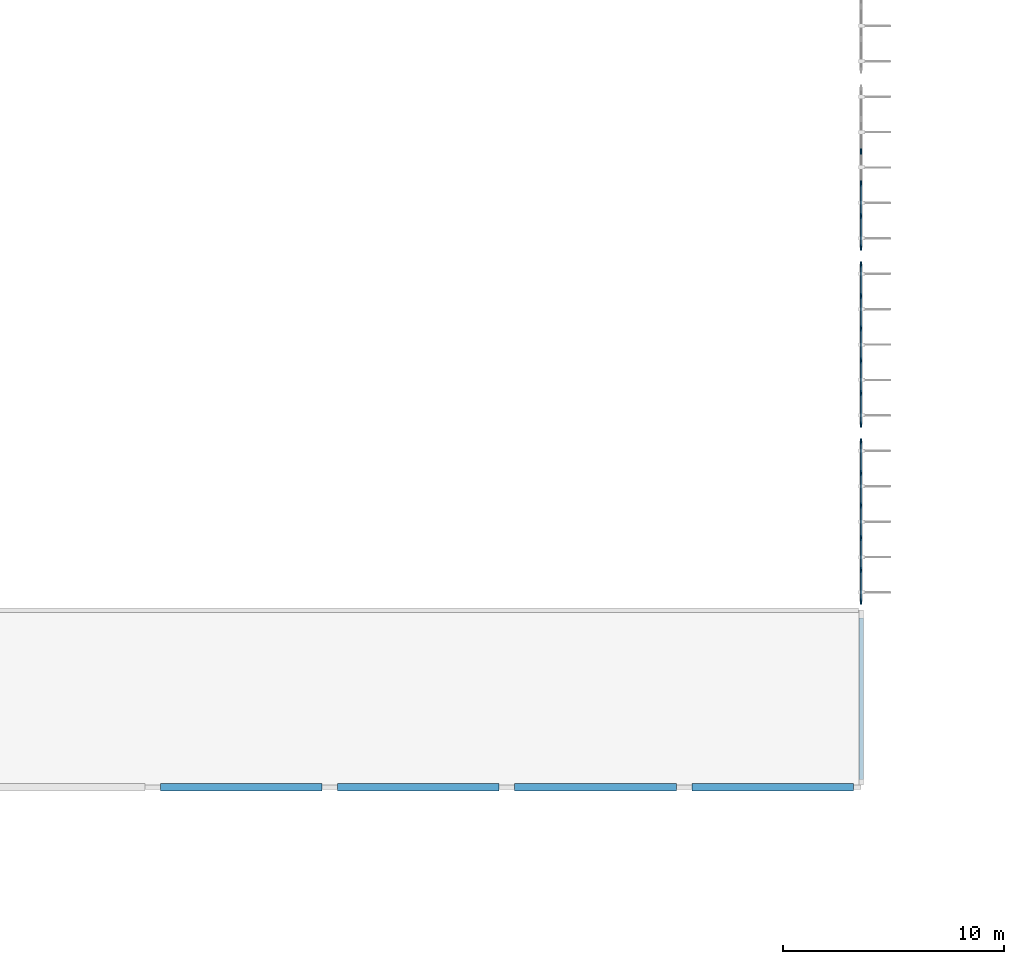
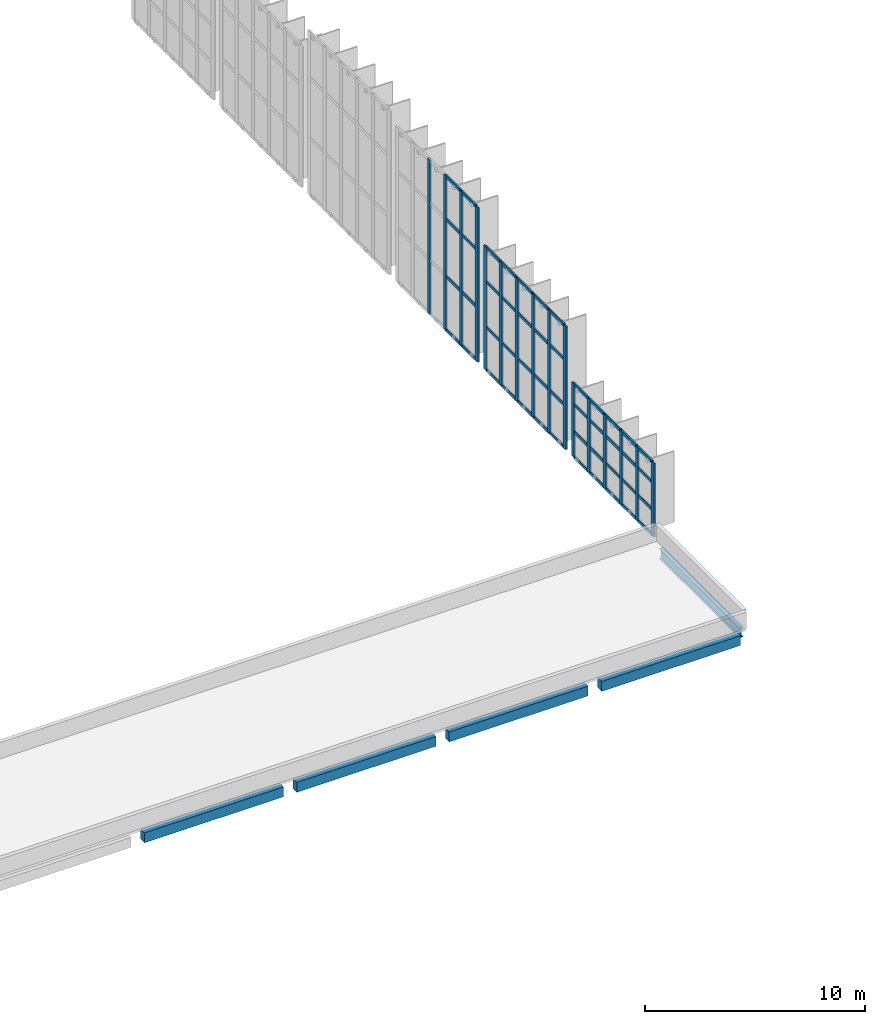
# One storey, part 8 of 38: 64 members, 5 beams, 3 elements without a shape of their own.
"""IFC4 building model written with IfcOpenShell, lengths in metres."""

from ifc_helpers import new_model, si_unit, direction, frame, origin, origin_2d, place, context, subcontext, project, spatial, rectangle, i_section, extrude, material, layer, layer_set, material_profile, profile_set, type_object, element, aggregate, save


model = new_model("IFC4")

# Units and contexts
model_context = context("Model", 3, precision=1e-05, world=origin(), true_north=direction((0.0, 1.0)))
body_context = subcontext(model_context, "Body", "Model", "MODEL_VIEW")
ifc_project = project(units=[si_unit("LENGTHUNIT", "METRE"), si_unit("AREAUNIT", "SQUARE_METRE"), si_unit("VOLUMEUNIT", "CUBIC_METRE"), si_unit("PLANEANGLEUNIT", "RADIAN"), si_unit("MASSUNIT", "GRAM", prefix="KILO")], contexts=[model_context])

# Site, building, storey
site_placement = place(None, origin())
site = spatial("IfcSite", under=ifc_project, at=site_placement, CompositionType="ELEMENT")
building_placement = place(site_placement, origin())
building = spatial("IfcBuilding", under=site, at=building_placement, Name="Drelvana Railside Aquatics Centre", CompositionType="ELEMENT")
storey_placement = place(building_placement, frame((0.0, 0.0, 14.39990234375)))
storey = spatial("IfcBuildingStorey", under=building, at=storey_placement, Name="L03", CompositionType="ELEMENT", Elevation=14.39990234375)

# Curtain wall, members
ifc_material_1 = material(Name="Bronze-anodised aluminium curtain wall", Category="aluminium")
ifc_layer = layer(ifc_material_1, 0.219970703125, Name="Bronze-anodised aluminium curtain wall")
ifc_layer_set = layer_set([ifc_layer], Name="Bronze-anodised aluminium curtain wall")
curtain_wall_type = type_object("IfcCurtainWallType", Name="CW-Z3-HIGH", PredefinedType="NOTDEFINED", material=ifc_layer_set)
curtain_wall_1_placement = place(storey_placement, origin())
curtain_wall_1 = element("IfcCurtainWall", 1, at=curtain_wall_1_placement, inside=storey, type_object=curtain_wall_type, Name="Curtain wall CW-03-058", PredefinedType="NOTDEFINED")
ifc_material_2 = material(Name="Bronze-anodised aluminium 6063-T6", Category="aluminium")
ifc_material_profile_1 = material_profile(ifc_material_2, rectangle(XDim=0.080078125, YDim=0.25, at=origin_2d()), Name="ALU-M 80x250")
ifc_profile_set_1 = profile_set([ifc_material_profile_1], Name="Bronze-anodised aluminium 6063-T6")
member_type_1 = type_object("IfcMemberType", Name="CW-Z3-HIGH-MUL", PredefinedType="MULLION", material=ifc_profile_set_1)
member_1_placement = place(storey_placement, frame((96.0, 24.384033203125, -0.005859375), z_axis=(0.0, 0.0, 1.0), x_axis=(-1.0, 0.0, 0.0)))
member_1 = element("IfcMember", 2, at=member_1_placement, type_object=member_type_1, Name="CW-03 mullion 1", PredefinedType="MULLION", context=body_context, shape_type="SweptSolid", body=[
    extrude(rectangle(XDim=0.080078125, YDim=0.25, at=origin_2d()), origin(), (0.0, 0.0, 1.0), 4.093017578125),
])
member_2_placement = place(storey_placement, frame((96.0, 25.806396484375, -0.005859375), z_axis=(0.0, 0.0, 1.0), x_axis=(-1.0, 0.0, 0.0)))
member_2 = element("IfcMember", 3, at=member_2_placement, type_object=member_type_1, Name="CW-03 mullion 2", PredefinedType="MULLION", context=body_context, shape_type="SweptSolid", body=[
    extrude(rectangle(XDim=0.080078125, YDim=0.25, at=origin_2d()), origin(), (0.0, 0.0, 1.0), 4.093017578125),
])
member_3_placement = place(storey_placement, frame((96.0, 27.268798828125, -0.005859375), z_axis=(0.0, 0.0, 1.0), x_axis=(-1.0, 0.0, 0.0)))
member_3 = element("IfcMember", 4, at=member_3_placement, type_object=member_type_1, Name="CW-03 mullion 3", PredefinedType="MULLION", context=body_context, shape_type="SweptSolid", body=[
    extrude(rectangle(XDim=0.080078125, YDim=0.25, at=origin_2d()), origin(), (0.0, 0.0, 1.0), 4.093017578125),
])
member_4_placement = place(storey_placement, frame((96.0, 28.731201171875, -0.005859375), z_axis=(0.0, 0.0, 1.0), x_axis=(-1.0, 0.0, 0.0)))
member_4 = element("IfcMember", 5, at=member_4_placement, type_object=member_type_1, Name="CW-03 mullion 4", PredefinedType="MULLION", context=body_context, shape_type="SweptSolid", body=[
    extrude(rectangle(XDim=0.080078125, YDim=0.25, at=origin_2d()), origin(), (0.0, 0.0, 1.0), 4.093017578125),
])
member_5_placement = place(storey_placement, frame((96.0, 30.193603515625, -0.005859375), z_axis=(0.0, 0.0, 1.0), x_axis=(-1.0, 0.0, 0.0)))
member_5 = element("IfcMember", 6, at=member_5_placement, type_object=member_type_1, Name="CW-03 mullion 5", PredefinedType="MULLION", context=body_context, shape_type="SweptSolid", body=[
    extrude(rectangle(XDim=0.080078125, YDim=0.25, at=origin_2d()), origin(), (0.0, 0.0, 1.0), 4.093017578125),
])
member_6_placement = place(storey_placement, frame((96.0, 31.615966796875, -0.005859375), z_axis=(0.0, 0.0, 1.0), x_axis=(-1.0, 0.0, 0.0)))
member_6 = element("IfcMember", 7, at=member_6_placement, type_object=member_type_1, Name="CW-03 mullion 6", PredefinedType="MULLION", context=body_context, shape_type="SweptSolid", body=[
    extrude(rectangle(XDim=0.080078125, YDim=0.25, at=origin_2d()), origin(), (0.0, 0.0, 1.0), 4.093017578125),
])

curtain_wall_2_placement = place(storey_placement, origin())
curtain_wall_2 = element("IfcCurtainWall", 8, at=curtain_wall_2_placement, inside=storey, type_object=curtain_wall_type, Name="Curtain wall CW-03-062", PredefinedType="NOTDEFINED")
member_7_placement = place(storey_placement, frame((96.0, 32.384033203125, -0.005859375), z_axis=(0.0, 0.0, 1.0), x_axis=(-1.0, 0.0, 0.0)))
member_7 = element("IfcMember", 9, at=member_7_placement, type_object=member_type_1, Name="CW-03 mullion 1", PredefinedType="MULLION", context=body_context, shape_type="SweptSolid", body=[
    extrude(rectangle(XDim=0.080078125, YDim=0.25, at=origin_2d()), origin(), (0.0, 0.0, 1.0), 6.833984375),
])
member_8_placement = place(storey_placement, frame((96.0, 33.806396484375, -0.005859375), z_axis=(0.0, 0.0, 1.0), x_axis=(-1.0, 0.0, 0.0)))
member_8 = element("IfcMember", 10, at=member_8_placement, type_object=member_type_1, Name="CW-03 mullion 2", PredefinedType="MULLION", context=body_context, shape_type="SweptSolid", body=[
    extrude(rectangle(XDim=0.080078125, YDim=0.25, at=origin_2d()), origin(), (0.0, 0.0, 1.0), 6.833984375),
])
member_9_placement = place(storey_placement, frame((96.0, 35.268798828125, -0.005859375), z_axis=(0.0, 0.0, 1.0), x_axis=(-1.0, 0.0, 0.0)))
member_9 = element("IfcMember", 11, at=member_9_placement, type_object=member_type_1, Name="CW-03 mullion 3", PredefinedType="MULLION", context=body_context, shape_type="SweptSolid", body=[
    extrude(rectangle(XDim=0.080078125, YDim=0.25, at=origin_2d()), origin(), (0.0, 0.0, 1.0), 6.833984375),
])
member_10_placement = place(storey_placement, frame((96.0, 36.731201171875, -0.005859375), z_axis=(0.0, 0.0, 1.0), x_axis=(-1.0, 0.0, 0.0)))
member_10 = element("IfcMember", 12, at=member_10_placement, type_object=member_type_1, Name="CW-03 mullion 4", PredefinedType="MULLION", context=body_context, shape_type="SweptSolid", body=[
    extrude(rectangle(XDim=0.080078125, YDim=0.25, at=origin_2d()), origin(), (0.0, 0.0, 1.0), 6.833984375),
])
member_11_placement = place(storey_placement, frame((96.0, 38.193603515625, -0.005859375), z_axis=(0.0, 0.0, 1.0), x_axis=(-1.0, 0.0, 0.0)))
member_11 = element("IfcMember", 13, at=member_11_placement, type_object=member_type_1, Name="CW-03 mullion 5", PredefinedType="MULLION", context=body_context, shape_type="SweptSolid", body=[
    extrude(rectangle(XDim=0.080078125, YDim=0.25, at=origin_2d()), origin(), (0.0, 0.0, 1.0), 6.833984375),
])
member_12_placement = place(storey_placement, frame((96.0, 39.615966796875, -0.005859375), z_axis=(0.0, 0.0, 1.0), x_axis=(-1.0, 0.0, 0.0)))
member_12 = element("IfcMember", 14, at=member_12_placement, type_object=member_type_1, Name="CW-03 mullion 6", PredefinedType="MULLION", context=body_context, shape_type="SweptSolid", body=[
    extrude(rectangle(XDim=0.080078125, YDim=0.25, at=origin_2d()), origin(), (0.0, 0.0, 1.0), 6.833984375),
])

curtain_wall_3_placement = place(storey_placement, origin())
curtain_wall_3 = element("IfcCurtainWall", 15, at=curtain_wall_3_placement, inside=storey, type_object=curtain_wall_type, Name="Curtain wall CW-03-066", PredefinedType="NOTDEFINED")
member_13_placement = place(storey_placement, frame((96.0, 40.384033203125, -0.005859375), z_axis=(0.0, 0.0, 1.0), x_axis=(-1.0, 0.0, 0.0)))
member_13 = element("IfcMember", 16, at=member_13_placement, type_object=member_type_1, Name="CW-03 mullion 1", PredefinedType="MULLION", context=body_context, shape_type="SweptSolid", body=[
    extrude(rectangle(XDim=0.080078125, YDim=0.25, at=origin_2d()), origin(), (0.0, 0.0, 1.0), 8.576904296875),
])
member_14_placement = place(storey_placement, frame((96.0, 41.806396484375, -0.005859375), z_axis=(0.0, 0.0, 1.0), x_axis=(-1.0, 0.0, 0.0)))
member_14 = element("IfcMember", 17, at=member_14_placement, type_object=member_type_1, Name="CW-03 mullion 2", PredefinedType="MULLION", context=body_context, shape_type="SweptSolid", body=[
    extrude(rectangle(XDim=0.080078125, YDim=0.25, at=origin_2d()), origin(), (0.0, 0.0, 1.0), 8.576904296875),
])
member_15_placement = place(storey_placement, frame((96.0, 43.268798828125, -0.005859375), z_axis=(0.0, 0.0, 1.0), x_axis=(-1.0, 0.0, 0.0)))
member_15 = element("IfcMember", 18, at=member_15_placement, type_object=member_type_1, Name="CW-03 mullion 3", PredefinedType="MULLION", context=body_context, shape_type="SweptSolid", body=[
    extrude(rectangle(XDim=0.080078125, YDim=0.25, at=origin_2d()), origin(), (0.0, 0.0, 1.0), 8.576904296875),
])
member_16_placement = place(storey_placement, frame((96.0, 44.731201171875, -0.005859375), z_axis=(0.0, 0.0, 1.0), x_axis=(-1.0, 0.0, 0.0)))
member_16 = element("IfcMember", 19, at=member_16_placement, type_object=member_type_1, Name="CW-03 mullion 4", PredefinedType="MULLION", context=body_context, shape_type="SweptSolid", body=[
    extrude(rectangle(XDim=0.080078125, YDim=0.25, at=origin_2d()), origin(), (0.0, 0.0, 1.0), 8.576904296875),
])

# Member
ifc_material_profile_2 = material_profile(ifc_material_2, rectangle(XDim=0.179931640625, YDim=0.074951171875, at=origin_2d()), Name="ALU-T 75x180")
ifc_profile_set_2 = profile_set([ifc_material_profile_2], Name="Bronze-anodised aluminium 6063-T6")
member_type_2 = type_object("IfcMemberType", Name="CW-Z3-HIGH-TRN", PredefinedType="USERDEFINED", material=ifc_profile_set_2)
member_17_placement = place(storey_placement, frame((96.0, 24.4189453125, 0.031494140625), z_axis=(0.0, 1.0, 0.0), x_axis=(0.0, 0.0, 1.0)))
member_17 = element("IfcMember", 20, at=member_17_placement, type_object=member_type_2, Name="CW-03 transom 1.1", ObjectType="TRANSOM", PredefinedType="USERDEFINED", context=body_context, shape_type="SweptSolid", body=[
    extrude(rectangle(XDim=0.179931640625, YDim=0.074951171875, at=origin_2d()), origin(), (0.0, 0.0, 1.0), 1.3525390625),
])

member_18_placement = place(storey_placement, frame((96.0, 24.4189453125, 1.427001953125), z_axis=(0.0, 1.0, 0.0), x_axis=(0.0, 0.0, 1.0)))
member_18 = element("IfcMember", 21, at=member_18_placement, type_object=member_type_2, Name="CW-03 transom 1.2", ObjectType="TRANSOM", PredefinedType="USERDEFINED", context=body_context, shape_type="SweptSolid", body=[
    extrude(rectangle(XDim=0.179931640625, YDim=0.074951171875, at=origin_2d()), origin(), (0.0, 0.0, 1.0), 1.3525390625),
])

member_19_placement = place(storey_placement, frame((96.0, 24.4189453125, 2.941162109375), z_axis=(0.0, 1.0, 0.0), x_axis=(0.0, 0.0, 1.0)))
member_19 = element("IfcMember", 22, at=member_19_placement, type_object=member_type_2, Name="CW-03 transom 1.3", ObjectType="TRANSOM", PredefinedType="USERDEFINED", context=body_context, shape_type="SweptSolid", body=[
    extrude(rectangle(XDim=0.179931640625, YDim=0.074951171875, at=origin_2d()), origin(), (0.0, 0.0, 1.0), 1.3525390625),
])

member_20_placement = place(storey_placement, frame((96.0, 24.4189453125, 4.049560546875), z_axis=(0.0, 1.0, 0.0), x_axis=(0.0, 0.0, 1.0)))
member_20 = element("IfcMember", 23, at=member_20_placement, type_object=member_type_2, Name="CW-03 transom 1.4", ObjectType="TRANSOM", PredefinedType="USERDEFINED", context=body_context, shape_type="SweptSolid", body=[
    extrude(rectangle(XDim=0.179931640625, YDim=0.074951171875, at=origin_2d()), origin(), (0.0, 0.0, 1.0), 1.3525390625),
])

member_21_placement = place(storey_placement, frame((96.0, 25.84130859375, 0.031494140625), z_axis=(0.0, 1.0, 0.0), x_axis=(0.0, 0.0, 1.0)))
member_21 = element("IfcMember", 24, at=member_21_placement, type_object=member_type_2, Name="CW-03 transom 2.1", ObjectType="TRANSOM", PredefinedType="USERDEFINED", context=body_context, shape_type="SweptSolid", body=[
    extrude(rectangle(XDim=0.179931640625, YDim=0.074951171875, at=origin_2d()), origin(), (0.0, 0.0, 1.0), 1.392578125),
])

member_22_placement = place(storey_placement, frame((96.0, 25.84130859375, 1.427001953125), z_axis=(0.0, 1.0, 0.0), x_axis=(0.0, 0.0, 1.0)))
member_22 = element("IfcMember", 25, at=member_22_placement, type_object=member_type_2, Name="CW-03 transom 2.2", ObjectType="TRANSOM", PredefinedType="USERDEFINED", context=body_context, shape_type="SweptSolid", body=[
    extrude(rectangle(XDim=0.179931640625, YDim=0.074951171875, at=origin_2d()), origin(), (0.0, 0.0, 1.0), 1.392578125),
])

member_23_placement = place(storey_placement, frame((96.0, 25.84130859375, 2.941162109375), z_axis=(0.0, 1.0, 0.0), x_axis=(0.0, 0.0, 1.0)))
member_23 = element("IfcMember", 26, at=member_23_placement, type_object=member_type_2, Name="CW-03 transom 2.3", ObjectType="TRANSOM", PredefinedType="USERDEFINED", context=body_context, shape_type="SweptSolid", body=[
    extrude(rectangle(XDim=0.179931640625, YDim=0.074951171875, at=origin_2d()), origin(), (0.0, 0.0, 1.0), 1.392578125),
])

member_24_placement = place(storey_placement, frame((96.0, 25.84130859375, 4.049560546875), z_axis=(0.0, 1.0, 0.0), x_axis=(0.0, 0.0, 1.0)))
member_24 = element("IfcMember", 27, at=member_24_placement, type_object=member_type_2, Name="CW-03 transom 2.4", ObjectType="TRANSOM", PredefinedType="USERDEFINED", context=body_context, shape_type="SweptSolid", body=[
    extrude(rectangle(XDim=0.179931640625, YDim=0.074951171875, at=origin_2d()), origin(), (0.0, 0.0, 1.0), 1.392578125),
])

member_25_placement = place(storey_placement, frame((96.0, 27.3037109375, 0.031494140625), z_axis=(0.0, 1.0, 0.0), x_axis=(0.0, 0.0, 1.0)))
member_25 = element("IfcMember", 28, at=member_25_placement, type_object=member_type_2, Name="CW-03 transom 3.1", ObjectType="TRANSOM", PredefinedType="USERDEFINED", context=body_context, shape_type="SweptSolid", body=[
    extrude(rectangle(XDim=0.179931640625, YDim=0.074951171875, at=origin_2d()), origin(), (0.0, 0.0, 1.0), 1.392578125),
])

member_26_placement = place(storey_placement, frame((96.0, 27.3037109375, 1.427001953125), z_axis=(0.0, 1.0, 0.0), x_axis=(0.0, 0.0, 1.0)))
member_26 = element("IfcMember", 29, at=member_26_placement, type_object=member_type_2, Name="CW-03 transom 3.2", ObjectType="TRANSOM", PredefinedType="USERDEFINED", context=body_context, shape_type="SweptSolid", body=[
    extrude(rectangle(XDim=0.179931640625, YDim=0.074951171875, at=origin_2d()), origin(), (0.0, 0.0, 1.0), 1.392578125),
])

member_27_placement = place(storey_placement, frame((96.0, 27.3037109375, 2.941162109375), z_axis=(0.0, 1.0, 0.0), x_axis=(0.0, 0.0, 1.0)))
member_27 = element("IfcMember", 30, at=member_27_placement, type_object=member_type_2, Name="CW-03 transom 3.3", ObjectType="TRANSOM", PredefinedType="USERDEFINED", context=body_context, shape_type="SweptSolid", body=[
    extrude(rectangle(XDim=0.179931640625, YDim=0.074951171875, at=origin_2d()), origin(), (0.0, 0.0, 1.0), 1.392578125),
])

member_28_placement = place(storey_placement, frame((96.0, 27.3037109375, 4.049560546875), z_axis=(0.0, 1.0, 0.0), x_axis=(0.0, 0.0, 1.0)))
member_28 = element("IfcMember", 31, at=member_28_placement, type_object=member_type_2, Name="CW-03 transom 3.4", ObjectType="TRANSOM", PredefinedType="USERDEFINED", context=body_context, shape_type="SweptSolid", body=[
    extrude(rectangle(XDim=0.179931640625, YDim=0.074951171875, at=origin_2d()), origin(), (0.0, 0.0, 1.0), 1.392578125),
])

member_29_placement = place(storey_placement, frame((96.0, 28.76611328125, 0.031494140625), z_axis=(0.0, 1.0, 0.0), x_axis=(0.0, 0.0, 1.0)))
member_29 = element("IfcMember", 32, at=member_29_placement, type_object=member_type_2, Name="CW-03 transom 4.1", ObjectType="TRANSOM", PredefinedType="USERDEFINED", context=body_context, shape_type="SweptSolid", body=[
    extrude(rectangle(XDim=0.179931640625, YDim=0.074951171875, at=origin_2d()), origin(), (0.0, 0.0, 1.0), 1.392578125),
])

member_30_placement = place(storey_placement, frame((96.0, 28.76611328125, 1.427001953125), z_axis=(0.0, 1.0, 0.0), x_axis=(0.0, 0.0, 1.0)))
member_30 = element("IfcMember", 33, at=member_30_placement, type_object=member_type_2, Name="CW-03 transom 4.2", ObjectType="TRANSOM", PredefinedType="USERDEFINED", context=body_context, shape_type="SweptSolid", body=[
    extrude(rectangle(XDim=0.179931640625, YDim=0.074951171875, at=origin_2d()), origin(), (0.0, 0.0, 1.0), 1.392578125),
])

member_31_placement = place(storey_placement, frame((96.0, 28.76611328125, 2.941162109375), z_axis=(0.0, 1.0, 0.0), x_axis=(0.0, 0.0, 1.0)))
member_31 = element("IfcMember", 34, at=member_31_placement, type_object=member_type_2, Name="CW-03 transom 4.3", ObjectType="TRANSOM", PredefinedType="USERDEFINED", context=body_context, shape_type="SweptSolid", body=[
    extrude(rectangle(XDim=0.179931640625, YDim=0.074951171875, at=origin_2d()), origin(), (0.0, 0.0, 1.0), 1.392578125),
])

member_32_placement = place(storey_placement, frame((96.0, 28.76611328125, 4.049560546875), z_axis=(0.0, 1.0, 0.0), x_axis=(0.0, 0.0, 1.0)))
member_32 = element("IfcMember", 35, at=member_32_placement, type_object=member_type_2, Name="CW-03 transom 4.4", ObjectType="TRANSOM", PredefinedType="USERDEFINED", context=body_context, shape_type="SweptSolid", body=[
    extrude(rectangle(XDim=0.179931640625, YDim=0.074951171875, at=origin_2d()), origin(), (0.0, 0.0, 1.0), 1.392578125),
])

member_33_placement = place(storey_placement, frame((96.0, 30.228515625, 0.031494140625), z_axis=(0.0, 1.0, 0.0), x_axis=(0.0, 0.0, 1.0)))
member_33 = element("IfcMember", 36, at=member_33_placement, type_object=member_type_2, Name="CW-03 transom 5.1", ObjectType="TRANSOM", PredefinedType="USERDEFINED", context=body_context, shape_type="SweptSolid", body=[
    extrude(rectangle(XDim=0.179931640625, YDim=0.074951171875, at=origin_2d()), origin(), (0.0, 0.0, 1.0), 1.3525390625),
])

member_34_placement = place(storey_placement, frame((96.0, 30.228515625, 1.427001953125), z_axis=(0.0, 1.0, 0.0), x_axis=(0.0, 0.0, 1.0)))
member_34 = element("IfcMember", 37, at=member_34_placement, type_object=member_type_2, Name="CW-03 transom 5.2", ObjectType="TRANSOM", PredefinedType="USERDEFINED", context=body_context, shape_type="SweptSolid", body=[
    extrude(rectangle(XDim=0.179931640625, YDim=0.074951171875, at=origin_2d()), origin(), (0.0, 0.0, 1.0), 1.3525390625),
])

member_35_placement = place(storey_placement, frame((96.0, 30.228515625, 2.941162109375), z_axis=(0.0, 1.0, 0.0), x_axis=(0.0, 0.0, 1.0)))
member_35 = element("IfcMember", 38, at=member_35_placement, type_object=member_type_2, Name="CW-03 transom 5.3", ObjectType="TRANSOM", PredefinedType="USERDEFINED", context=body_context, shape_type="SweptSolid", body=[
    extrude(rectangle(XDim=0.179931640625, YDim=0.074951171875, at=origin_2d()), origin(), (0.0, 0.0, 1.0), 1.3525390625),
])

member_36_placement = place(storey_placement, frame((96.0, 30.228515625, 4.049560546875), z_axis=(0.0, 1.0, 0.0), x_axis=(0.0, 0.0, 1.0)))
member_36 = element("IfcMember", 39, at=member_36_placement, type_object=member_type_2, Name="CW-03 transom 5.4", ObjectType="TRANSOM", PredefinedType="USERDEFINED", context=body_context, shape_type="SweptSolid", body=[
    extrude(rectangle(XDim=0.179931640625, YDim=0.074951171875, at=origin_2d()), origin(), (0.0, 0.0, 1.0), 1.3525390625),
])

aggregate(curtain_wall_1, [member_1, member_2, member_3, member_4, member_5, member_6, member_17, member_18, member_19, member_20, member_21, member_22, member_23, member_24, member_25, member_26, member_27, member_28, member_29, member_30, member_31, member_32, member_33, member_34, member_35, member_36])

member_37_placement = place(storey_placement, frame((96.0, 32.4189453125, 0.031494140625), z_axis=(0.0, 1.0, 0.0), x_axis=(0.0, 0.0, 1.0)))
member_37 = element("IfcMember", 40, at=member_37_placement, type_object=member_type_2, Name="CW-03 transom 1.1", ObjectType="TRANSOM", PredefinedType="USERDEFINED", context=body_context, shape_type="SweptSolid", body=[
    extrude(rectangle(XDim=0.179931640625, YDim=0.074951171875, at=origin_2d()), origin(), (0.0, 0.0, 1.0), 1.3525390625),
])

member_38_placement = place(storey_placement, frame((96.0, 32.4189453125, 2.385986328125), z_axis=(0.0, 1.0, 0.0), x_axis=(0.0, 0.0, 1.0)))
member_38 = element("IfcMember", 41, at=member_38_placement, type_object=member_type_2, Name="CW-03 transom 1.2", ObjectType="TRANSOM", PredefinedType="USERDEFINED", context=body_context, shape_type="SweptSolid", body=[
    extrude(rectangle(XDim=0.179931640625, YDim=0.074951171875, at=origin_2d()), origin(), (0.0, 0.0, 1.0), 1.3525390625),
])

member_39_placement = place(storey_placement, frame((96.0, 32.4189453125, 4.9140625), z_axis=(0.0, 1.0, 0.0), x_axis=(0.0, 0.0, 1.0)))
member_39 = element("IfcMember", 42, at=member_39_placement, type_object=member_type_2, Name="CW-03 transom 1.3", ObjectType="TRANSOM", PredefinedType="USERDEFINED", context=body_context, shape_type="SweptSolid", body=[
    extrude(rectangle(XDim=0.179931640625, YDim=0.074951171875, at=origin_2d()), origin(), (0.0, 0.0, 1.0), 1.3525390625),
])

member_40_placement = place(storey_placement, frame((96.0, 32.4189453125, 6.79052734375), z_axis=(0.0, 1.0, 0.0), x_axis=(0.0, 0.0, 1.0)))
member_40 = element("IfcMember", 43, at=member_40_placement, type_object=member_type_2, Name="CW-03 transom 1.4", ObjectType="TRANSOM", PredefinedType="USERDEFINED", context=body_context, shape_type="SweptSolid", body=[
    extrude(rectangle(XDim=0.179931640625, YDim=0.074951171875, at=origin_2d()), origin(), (0.0, 0.0, 1.0), 1.3525390625),
])

member_41_placement = place(storey_placement, frame((96.0, 33.84130859375, 0.031494140625), z_axis=(0.0, 1.0, 0.0), x_axis=(0.0, 0.0, 1.0)))
member_41 = element("IfcMember", 44, at=member_41_placement, type_object=member_type_2, Name="CW-03 transom 2.1", ObjectType="TRANSOM", PredefinedType="USERDEFINED", context=body_context, shape_type="SweptSolid", body=[
    extrude(rectangle(XDim=0.179931640625, YDim=0.074951171875, at=origin_2d()), origin(), (0.0, 0.0, 1.0), 1.392578125),
])

member_42_placement = place(storey_placement, frame((96.0, 33.84130859375, 2.385986328125), z_axis=(0.0, 1.0, 0.0), x_axis=(0.0, 0.0, 1.0)))
member_42 = element("IfcMember", 45, at=member_42_placement, type_object=member_type_2, Name="CW-03 transom 2.2", ObjectType="TRANSOM", PredefinedType="USERDEFINED", context=body_context, shape_type="SweptSolid", body=[
    extrude(rectangle(XDim=0.179931640625, YDim=0.074951171875, at=origin_2d()), origin(), (0.0, 0.0, 1.0), 1.392578125),
])

member_43_placement = place(storey_placement, frame((96.0, 33.84130859375, 4.9140625), z_axis=(0.0, 1.0, 0.0), x_axis=(0.0, 0.0, 1.0)))
member_43 = element("IfcMember", 46, at=member_43_placement, type_object=member_type_2, Name="CW-03 transom 2.3", ObjectType="TRANSOM", PredefinedType="USERDEFINED", context=body_context, shape_type="SweptSolid", body=[
    extrude(rectangle(XDim=0.179931640625, YDim=0.074951171875, at=origin_2d()), origin(), (0.0, 0.0, 1.0), 1.392578125),
])

member_44_placement = place(storey_placement, frame((96.0, 33.84130859375, 6.79052734375), z_axis=(0.0, 1.0, 0.0), x_axis=(0.0, 0.0, 1.0)))
member_44 = element("IfcMember", 47, at=member_44_placement, type_object=member_type_2, Name="CW-03 transom 2.4", ObjectType="TRANSOM", PredefinedType="USERDEFINED", context=body_context, shape_type="SweptSolid", body=[
    extrude(rectangle(XDim=0.179931640625, YDim=0.074951171875, at=origin_2d()), origin(), (0.0, 0.0, 1.0), 1.392578125),
])

member_45_placement = place(storey_placement, frame((96.0, 35.3037109375, 0.031494140625), z_axis=(0.0, 1.0, 0.0), x_axis=(0.0, 0.0, 1.0)))
member_45 = element("IfcMember", 48, at=member_45_placement, type_object=member_type_2, Name="CW-03 transom 3.1", ObjectType="TRANSOM", PredefinedType="USERDEFINED", context=body_context, shape_type="SweptSolid", body=[
    extrude(rectangle(XDim=0.179931640625, YDim=0.074951171875, at=origin_2d()), origin(), (0.0, 0.0, 1.0), 1.392578125),
])

member_46_placement = place(storey_placement, frame((96.0, 35.3037109375, 2.385986328125), z_axis=(0.0, 1.0, 0.0), x_axis=(0.0, 0.0, 1.0)))
member_46 = element("IfcMember", 49, at=member_46_placement, type_object=member_type_2, Name="CW-03 transom 3.2", ObjectType="TRANSOM", PredefinedType="USERDEFINED", context=body_context, shape_type="SweptSolid", body=[
    extrude(rectangle(XDim=0.179931640625, YDim=0.074951171875, at=origin_2d()), origin(), (0.0, 0.0, 1.0), 1.392578125),
])

member_47_placement = place(storey_placement, frame((96.0, 35.3037109375, 4.9140625), z_axis=(0.0, 1.0, 0.0), x_axis=(0.0, 0.0, 1.0)))
member_47 = element("IfcMember", 50, at=member_47_placement, type_object=member_type_2, Name="CW-03 transom 3.3", ObjectType="TRANSOM", PredefinedType="USERDEFINED", context=body_context, shape_type="SweptSolid", body=[
    extrude(rectangle(XDim=0.179931640625, YDim=0.074951171875, at=origin_2d()), origin(), (0.0, 0.0, 1.0), 1.392578125),
])

member_48_placement = place(storey_placement, frame((96.0, 35.3037109375, 6.79052734375), z_axis=(0.0, 1.0, 0.0), x_axis=(0.0, 0.0, 1.0)))
member_48 = element("IfcMember", 51, at=member_48_placement, type_object=member_type_2, Name="CW-03 transom 3.4", ObjectType="TRANSOM", PredefinedType="USERDEFINED", context=body_context, shape_type="SweptSolid", body=[
    extrude(rectangle(XDim=0.179931640625, YDim=0.074951171875, at=origin_2d()), origin(), (0.0, 0.0, 1.0), 1.392578125),
])

member_49_placement = place(storey_placement, frame((96.0, 36.76611328125, 0.031494140625), z_axis=(0.0, 1.0, 0.0), x_axis=(0.0, 0.0, 1.0)))
member_49 = element("IfcMember", 52, at=member_49_placement, type_object=member_type_2, Name="CW-03 transom 4.1", ObjectType="TRANSOM", PredefinedType="USERDEFINED", context=body_context, shape_type="SweptSolid", body=[
    extrude(rectangle(XDim=0.179931640625, YDim=0.074951171875, at=origin_2d()), origin(), (0.0, 0.0, 1.0), 1.392578125),
])

member_50_placement = place(storey_placement, frame((96.0, 36.76611328125, 2.385986328125), z_axis=(0.0, 1.0, 0.0), x_axis=(0.0, 0.0, 1.0)))
member_50 = element("IfcMember", 53, at=member_50_placement, type_object=member_type_2, Name="CW-03 transom 4.2", ObjectType="TRANSOM", PredefinedType="USERDEFINED", context=body_context, shape_type="SweptSolid", body=[
    extrude(rectangle(XDim=0.179931640625, YDim=0.074951171875, at=origin_2d()), origin(), (0.0, 0.0, 1.0), 1.392578125),
])

member_51_placement = place(storey_placement, frame((96.0, 36.76611328125, 4.9140625), z_axis=(0.0, 1.0, 0.0), x_axis=(0.0, 0.0, 1.0)))
member_51 = element("IfcMember", 54, at=member_51_placement, type_object=member_type_2, Name="CW-03 transom 4.3", ObjectType="TRANSOM", PredefinedType="USERDEFINED", context=body_context, shape_type="SweptSolid", body=[
    extrude(rectangle(XDim=0.179931640625, YDim=0.074951171875, at=origin_2d()), origin(), (0.0, 0.0, 1.0), 1.392578125),
])

member_52_placement = place(storey_placement, frame((96.0, 36.76611328125, 6.79052734375), z_axis=(0.0, 1.0, 0.0), x_axis=(0.0, 0.0, 1.0)))
member_52 = element("IfcMember", 55, at=member_52_placement, type_object=member_type_2, Name="CW-03 transom 4.4", ObjectType="TRANSOM", PredefinedType="USERDEFINED", context=body_context, shape_type="SweptSolid", body=[
    extrude(rectangle(XDim=0.179931640625, YDim=0.074951171875, at=origin_2d()), origin(), (0.0, 0.0, 1.0), 1.392578125),
])

member_53_placement = place(storey_placement, frame((96.0, 38.228515625, 0.031494140625), z_axis=(0.0, 1.0, 0.0), x_axis=(0.0, 0.0, 1.0)))
member_53 = element("IfcMember", 56, at=member_53_placement, type_object=member_type_2, Name="CW-03 transom 5.1", ObjectType="TRANSOM", PredefinedType="USERDEFINED", context=body_context, shape_type="SweptSolid", body=[
    extrude(rectangle(XDim=0.179931640625, YDim=0.074951171875, at=origin_2d()), origin(), (0.0, 0.0, 1.0), 1.3525390625),
])

member_54_placement = place(storey_placement, frame((96.0, 38.228515625, 2.385986328125), z_axis=(0.0, 1.0, 0.0), x_axis=(0.0, 0.0, 1.0)))
member_54 = element("IfcMember", 57, at=member_54_placement, type_object=member_type_2, Name="CW-03 transom 5.2", ObjectType="TRANSOM", PredefinedType="USERDEFINED", context=body_context, shape_type="SweptSolid", body=[
    extrude(rectangle(XDim=0.179931640625, YDim=0.074951171875, at=origin_2d()), origin(), (0.0, 0.0, 1.0), 1.3525390625),
])

member_55_placement = place(storey_placement, frame((96.0, 38.228515625, 4.9140625), z_axis=(0.0, 1.0, 0.0), x_axis=(0.0, 0.0, 1.0)))
member_55 = element("IfcMember", 58, at=member_55_placement, type_object=member_type_2, Name="CW-03 transom 5.3", ObjectType="TRANSOM", PredefinedType="USERDEFINED", context=body_context, shape_type="SweptSolid", body=[
    extrude(rectangle(XDim=0.179931640625, YDim=0.074951171875, at=origin_2d()), origin(), (0.0, 0.0, 1.0), 1.3525390625),
])

member_56_placement = place(storey_placement, frame((96.0, 38.228515625, 6.79052734375), z_axis=(0.0, 1.0, 0.0), x_axis=(0.0, 0.0, 1.0)))
member_56 = element("IfcMember", 59, at=member_56_placement, type_object=member_type_2, Name="CW-03 transom 5.4", ObjectType="TRANSOM", PredefinedType="USERDEFINED", context=body_context, shape_type="SweptSolid", body=[
    extrude(rectangle(XDim=0.179931640625, YDim=0.074951171875, at=origin_2d()), origin(), (0.0, 0.0, 1.0), 1.3525390625),
])

aggregate(curtain_wall_2, [member_7, member_8, member_9, member_10, member_11, member_12, member_37, member_38, member_39, member_40, member_41, member_42, member_43, member_44, member_45, member_46, member_47, member_48, member_49, member_50, member_51, member_52, member_53, member_54, member_55, member_56])

member_57_placement = place(storey_placement, frame((96.0, 40.4189453125, 0.031494140625), z_axis=(0.0, 1.0, 0.0), x_axis=(0.0, 0.0, 1.0)))
member_57 = element("IfcMember", 60, at=member_57_placement, type_object=member_type_2, Name="CW-03 transom 1.1", ObjectType="TRANSOM", PredefinedType="USERDEFINED", context=body_context, shape_type="SweptSolid", body=[
    extrude(rectangle(XDim=0.179931640625, YDim=0.074951171875, at=origin_2d()), origin(), (0.0, 0.0, 1.0), 1.3525390625),
])

member_58_placement = place(storey_placement, frame((96.0, 40.4189453125, 2.99609375), z_axis=(0.0, 1.0, 0.0), x_axis=(0.0, 0.0, 1.0)))
member_58 = element("IfcMember", 61, at=member_58_placement, type_object=member_type_2, Name="CW-03 transom 1.2", ObjectType="TRANSOM", PredefinedType="USERDEFINED", context=body_context, shape_type="SweptSolid", body=[
    extrude(rectangle(XDim=0.179931640625, YDim=0.074951171875, at=origin_2d()), origin(), (0.0, 0.0, 1.0), 1.3525390625),
])

member_59_placement = place(storey_placement, frame((96.0, 40.4189453125, 6.169189453125), z_axis=(0.0, 1.0, 0.0), x_axis=(0.0, 0.0, 1.0)))
member_59 = element("IfcMember", 62, at=member_59_placement, type_object=member_type_2, Name="CW-03 transom 1.3", ObjectType="TRANSOM", PredefinedType="USERDEFINED", context=body_context, shape_type="SweptSolid", body=[
    extrude(rectangle(XDim=0.179931640625, YDim=0.074951171875, at=origin_2d()), origin(), (0.0, 0.0, 1.0), 1.3525390625),
])

member_60_placement = place(storey_placement, frame((96.0, 40.4189453125, 8.53369140625), z_axis=(0.0, 1.0, 0.0), x_axis=(0.0, 0.0, 1.0)))
member_60 = element("IfcMember", 63, at=member_60_placement, type_object=member_type_2, Name="CW-03 transom 1.4", ObjectType="TRANSOM", PredefinedType="USERDEFINED", context=body_context, shape_type="SweptSolid", body=[
    extrude(rectangle(XDim=0.179931640625, YDim=0.074951171875, at=origin_2d()), origin(), (0.0, 0.0, 1.0), 1.3525390625),
])

member_61_placement = place(storey_placement, frame((96.0, 41.84130859375, 0.031494140625), z_axis=(0.0, 1.0, 0.0), x_axis=(0.0, 0.0, 1.0)))
member_61 = element("IfcMember", 64, at=member_61_placement, type_object=member_type_2, Name="CW-03 transom 2.1", ObjectType="TRANSOM", PredefinedType="USERDEFINED", context=body_context, shape_type="SweptSolid", body=[
    extrude(rectangle(XDim=0.179931640625, YDim=0.074951171875, at=origin_2d()), origin(), (0.0, 0.0, 1.0), 1.392578125),
])

member_62_placement = place(storey_placement, frame((96.0, 41.84130859375, 2.99609375), z_axis=(0.0, 1.0, 0.0), x_axis=(0.0, 0.0, 1.0)))
member_62 = element("IfcMember", 65, at=member_62_placement, type_object=member_type_2, Name="CW-03 transom 2.2", ObjectType="TRANSOM", PredefinedType="USERDEFINED", context=body_context, shape_type="SweptSolid", body=[
    extrude(rectangle(XDim=0.179931640625, YDim=0.074951171875, at=origin_2d()), origin(), (0.0, 0.0, 1.0), 1.392578125),
])

member_63_placement = place(storey_placement, frame((96.0, 41.84130859375, 6.169189453125), z_axis=(0.0, 1.0, 0.0), x_axis=(0.0, 0.0, 1.0)))
member_63 = element("IfcMember", 66, at=member_63_placement, type_object=member_type_2, Name="CW-03 transom 2.3", ObjectType="TRANSOM", PredefinedType="USERDEFINED", context=body_context, shape_type="SweptSolid", body=[
    extrude(rectangle(XDim=0.179931640625, YDim=0.074951171875, at=origin_2d()), origin(), (0.0, 0.0, 1.0), 1.392578125),
])

member_64_placement = place(storey_placement, frame((96.0, 41.84130859375, 8.53369140625), z_axis=(0.0, 1.0, 0.0), x_axis=(0.0, 0.0, 1.0)))
member_64 = element("IfcMember", 67, at=member_64_placement, type_object=member_type_2, Name="CW-03 transom 2.4", ObjectType="TRANSOM", PredefinedType="USERDEFINED", context=body_context, shape_type="SweptSolid", body=[
    extrude(rectangle(XDim=0.179931640625, YDim=0.074951171875, at=origin_2d()), origin(), (0.0, 0.0, 1.0), 1.392578125),
])

aggregate(curtain_wall_3, [member_13, member_14, member_15, member_16, member_57, member_58, member_59, member_60, member_61, member_62, member_63, member_64])

# Beams
ifc_material_3 = material(Name="Concrete C40/50", Category="concrete")
ifc_material_profile_3 = material_profile(ifc_material_3, rectangle(XDim=0.35009765625, YDim=0.550048828125, at=origin_2d()), Name="RC 350x550")
ifc_profile_set_3 = profile_set([ifc_material_profile_3], Name="Concrete C40/50")
beam_type_1 = type_object("IfcBeamType", Name="STR-BM-BM-01-RC-350x550", PredefinedType="BEAM", material=ifc_profile_set_3)
for number, where, z_axis, x_axis, name in (
    (68, (64.35009765625, 16.0, -0.514892578125), (1.0, 0.0, 0.0), (0.0, 1.0, 0.0), "Girder BM-01 (L03)"),
    (69, (72.35009765625, 16.0, -0.514892578125), (1.0, 0.0, 0.0), (0.0, 1.0, 0.0), "Girder BM-01 (L03)"),
    (70, (80.35009765625, 16.0, -0.514892578125), (1.0, 0.0, 0.0), (0.0, 1.0, 0.0), "Girder BM-01 (L03)"),
    (71, (88.35009765625, 16.0, -0.514892578125), (1.0, 0.0, 0.0), (0.0, 1.0, 0.0), "Girder BM-01 (L03)"),
):
    element("IfcBeam", number, at=place(storey_placement, frame(where, z_axis=z_axis, x_axis=x_axis)), inside=storey, type_object=beam_type_1, Name=name, PredefinedType="BEAM", context=body_context, shape_type="SweptSolid", body=[
        extrude(rectangle(XDim=0.35009765625, YDim=0.550048828125, at=origin_2d()), origin(), (0.0, 0.0, 1.0), 7.2998046875),
    ])
ifc_material_4 = material(Name="Structural steel S355", Category="steel")
ifc_material_profile_4 = material_profile(ifc_material_4, i_section(OverallWidth=0.2099609375, OverallDepth=0.550048828125, WebThickness=0.010986328125, FlangeThickness=0.01708984375, at=origin_2d()), Name="IPE 550")
ifc_profile_set_4 = profile_set([ifc_material_profile_4], Name="Structural steel S355")
beam_type_2 = type_object("IfcBeamType", Name="STR-SBM-SB-04-IPE-550", PredefinedType="SPANDREL", material=ifc_profile_set_4)
beam_placement = place(storey_placement, frame((96.0, 16.35009765625, -0.514892578125), z_axis=(0.0, 1.0, 0.0), x_axis=(-1.0, 0.0, 0.0)))
element("IfcBeam", 72, at=beam_placement, inside=storey, type_object=beam_type_2, Name="Girder SB-04 (L03)", PredefinedType="SPANDREL", context=body_context, shape_type="SweptSolid", body=[
    extrude(i_section(OverallWidth=0.2099609375, OverallDepth=0.550048828125, WebThickness=0.010986328125, FlangeThickness=0.01708984375, at=origin_2d()), origin(), (0.0, 0.0, 1.0), 7.2998046875),
])

save(model, "model.ifc")
